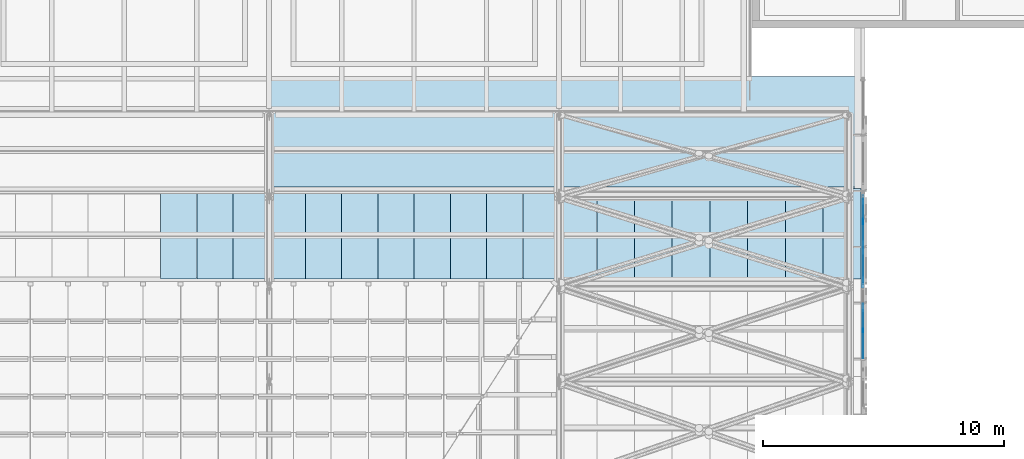
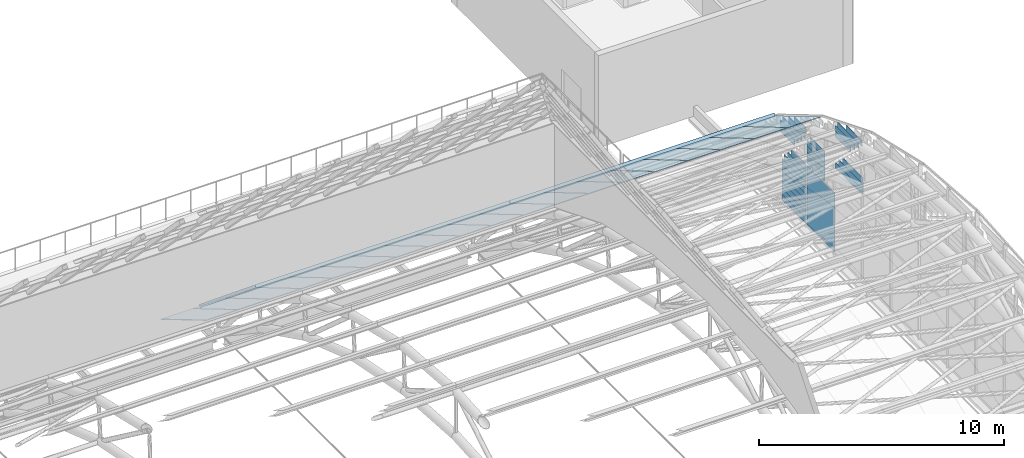
# One storey, part 66 of 110: 47 plates, 2 slabs, 1 element without a shape of its own.
"""IFC4 building model written with IfcOpenShell, lengths in metres."""

from ifc_helpers import new_model, si_unit, direction, frame, origin, place, context, subcontext, project, spatial, polyline, outline, extrude, material, layer, layer_set, type_object, element, aggregate, save


model = new_model("IFC4")

# Units and contexts
model_context = context("Model", 3, precision=1e-05, world=origin(), true_north=direction((0.0, 1.0)))
body_context = subcontext(model_context, "Body", "Model", "MODEL_VIEW")
ifc_project = project(units=[si_unit("LENGTHUNIT", "METRE"), si_unit("AREAUNIT", "SQUARE_METRE"), si_unit("VOLUMEUNIT", "CUBIC_METRE"), si_unit("PLANEANGLEUNIT", "RADIAN"), si_unit("MASSUNIT", "GRAM", prefix="KILO")], contexts=[model_context])

# Site, building, storey
site_placement = place(None, origin())
site = spatial("IfcSite", under=ifc_project, at=site_placement, CompositionType="ELEMENT")
building_placement = place(site_placement, origin())
building = spatial("IfcBuilding", under=site, at=building_placement, Name="Windward Yard Aquatics Centre", CompositionType="ELEMENT")
storey_placement = place(building_placement, frame((0.0, 0.0, 22.60009765625)))
storey = spatial("IfcBuildingStorey", under=building, at=storey_placement, Name="L05", CompositionType="ELEMENT", Elevation=22.60009765625)

# Curtain wall, plates
ifc_material_1 = material(Name="Glass and aluminium curtain wall", Category="aluminium")
ifc_layer_1 = layer(ifc_material_1, 0.179931640625)
ifc_layer_set_1 = layer_set([ifc_layer_1], Name="H gable glazing system double glazed 8+16+8")
curtain_wall_type = type_object("IfcCurtainWallType", Name="H gable glazing system double glazed 8+16+8", PredefinedType="NOTDEFINED", material=ifc_layer_set_1)
curtain_wall_placement = place(storey_placement, origin())
curtain_wall = element("IfcCurtainWall", 1, at=curtain_wall_placement, inside=storey, type_object=curtain_wall_type, Name="Gable glazing E", PredefinedType="NOTDEFINED")
ifc_material_2 = material(Name="Low-iron glass", Category="glass")
ifc_layer_2 = layer(ifc_material_2, 0.008, Name="Outer pane")
ifc_material_3 = material(Name="Argon-filled cavity")
ifc_layer_3 = layer(ifc_material_3, 0.016, Name="Cavity")
ifc_layer_4 = layer(ifc_material_2, 0.008, Name="Inner pane")
ifc_layer_set_2 = layer_set([ifc_layer_2, ifc_layer_3, ifc_layer_4], Name="H gable glass low-e double glazed unit 32")
plate_type_1 = type_object("IfcPlateType", Name="H gable glass low-e double glazed unit 32", PredefinedType="CURTAIN_PANEL", material=ifc_layer_set_2)
plate_1_placement = place(storey_placement, frame((144.60595703125, 70.309326171875, 4.32373046875), z_axis=(1.0, 0.0, 0.0), x_axis=(0.0, 1.0, 0.0)))
plate_1 = element("IfcPlate", 2, at=plate_1_placement, type_object=plate_type_1, Name="Gable panel 14.2e", PredefinedType="CURTAIN_PANEL", context=body_context, shape_type="SweptSolid", body=[
    extrude(outline(polyline([(0.0, 0.0), (2.254395, 0.0), (2.254395, 0.293213), (0.0, 0.293213), (0.0, 0.0)])), origin(), (0.0, 0.0, -1.0), 0.031982421875),
])
plate_2_placement = place(storey_placement, frame((144.60595703125, 70.309326171875, 4.6171875), z_axis=(1.0, 0.0, 0.0), x_axis=(0.0, 1.0, 0.0)))
plate_2 = element("IfcPlate", 3, at=plate_2_placement, type_object=plate_type_1, Name="Gable panel 14.2f", PredefinedType="CURTAIN_PANEL", context=body_context, shape_type="SweptSolid", body=[
    extrude(outline(polyline([(0.0, 0.0), (1.988037, 0.0), (1.988037, 0.292969), (0.0, 0.292969), (0.0, 0.0)])), origin(), (0.0, 0.0, -1.0), 0.031982421875),
])
plate_3_placement = place(storey_placement, frame((144.60595703125, 70.309326171875, 4.91064453125), z_axis=(1.0, 0.0, 0.0), x_axis=(0.0, 1.0, 0.0)))
plate_3 = element("IfcPlate", 4, at=plate_3_placement, type_object=plate_type_1, Name="Gable panel 14.2g", PredefinedType="CURTAIN_PANEL", context=body_context, shape_type="SweptSolid", body=[
    extrude(outline(polyline([(0.0, 0.0), (1.656738, 0.0), (1.656738, 0.292969), (0.0, 0.292969), (0.0, 0.0)])), origin(), (0.0, 0.0, -1.0), 0.031982421875),
])
plate_4_placement = place(storey_placement, frame((144.60595703125, 71.307861328125, 5.893310546875), z_axis=(1.0, 0.0, 0.0), x_axis=(0.0, 1.0, 0.0)))
plate_4 = element("IfcPlate", 5, at=plate_4_placement, type_object=plate_type_1, Name="Gable panel 14.2o", PredefinedType="CURTAIN_PANEL", context=body_context, shape_type="SweptSolid", body=[
    extrude(outline(polyline([(0.0, 0.0), (1.255859, 0.0), (1.255859, 0.277832), (0.0, 0.277832), (0.0, 0.0)])), origin(), (0.0, 0.0, -1.0), 0.031982421875),
])
plate_5_placement = place(storey_placement, frame((144.60595703125, 70.994140625, 6.17138671875), z_axis=(1.0, 0.0, 0.0), x_axis=(0.0, 1.0, 0.0)))
plate_5 = element("IfcPlate", 6, at=plate_5_placement, type_object=plate_type_1, Name="Gable panel 14.2p", PredefinedType="CURTAIN_PANEL", context=body_context, shape_type="SweptSolid", body=[
    extrude(outline(polyline([(0.0, 0.0), (1.56958, 0.0), (1.56958, 0.277588), (0.0, 0.277588), (0.0, 0.0)])), origin(), (0.0, 0.0, -1.0), 0.031982421875),
])
plate_6_placement = place(storey_placement, frame((144.60595703125, 70.68017578125, 6.449462890625), z_axis=(1.0, 0.0, 0.0), x_axis=(0.0, 1.0, 0.0)))
plate_6 = element("IfcPlate", 7, at=plate_6_placement, type_object=plate_type_1, Name="Gable panel 14.2q", PredefinedType="CURTAIN_PANEL", context=body_context, shape_type="SweptSolid", body=[
    extrude(outline(polyline([(0.0, 0.0), (1.705078, 0.0), (1.705078, 0.277588), (0.0, 0.277588), (0.0, 0.0)])), origin(), (0.0, 0.0, -1.0), 0.031982421875),
])
plate_7_placement = place(storey_placement, frame((144.60595703125, 70.366455078125, 6.7275390625), z_axis=(1.0, 0.0, 0.0), x_axis=(0.0, 1.0, 0.0)))
plate_7 = element("IfcPlate", 8, at=plate_7_placement, type_object=plate_type_1, Name="Gable panel 14.2r", PredefinedType="CURTAIN_PANEL", context=body_context, shape_type="SweptSolid", body=[
    extrude(outline(polyline([(0.0, 0.0), (1.327148, 0.0), (1.327148, 0.277588), (0.0, 0.277588), (0.0, 0.0)])), origin(), (0.0, 0.0, -1.0), 0.031982421875),
])
plate_8_placement = place(storey_placement, frame((144.573974609375, 72.628662109375, 0.099853515625), z_axis=(-1.0, 0.0, 0.0), x_axis=(0.0, 0.0, 1.0)))
plate_8 = element("IfcPlate", 9, at=plate_8_placement, type_object=plate_type_1, Name="Gable panel 15.1", PredefinedType="CURTAIN_PANEL", context=body_context, shape_type="SweptSolid", body=[
    extrude(outline(polyline([(0.0, 0.0), (2.949951, 0.0), (2.949951, 2.25415), (0.0, 2.25415), (0.0, 0.0)])), origin(), (0.0, 0.0, -1.0), 0.031982421875),
])
plate_9_placement = place(storey_placement, frame((144.60595703125, 73.438232421875, 3.14990234375), z_axis=(1.0, 0.0, 0.0), x_axis=(0.0, 1.0, 0.0)))
plate_9 = element("IfcPlate", 10, at=plate_9_placement, type_object=plate_type_1, Name="Gable panel 15.2a", PredefinedType="CURTAIN_PANEL", context=body_context, shape_type="SweptSolid", body=[
    extrude(outline(polyline([(0.0, 0.0), (1.44458, 0.0), (1.44458, 0.295898), (0.0, 0.295898), (0.0, 0.0)])), origin(), (0.0, 0.0, -1.0), 0.031982421875),
])
plate_10_placement = place(storey_placement, frame((144.60595703125, 73.438232421875, 3.446044921875), z_axis=(1.0, 0.0, 0.0), x_axis=(0.0, 1.0, 0.0)))
plate_10 = element("IfcPlate", 11, at=plate_10_placement, type_object=plate_type_1, Name="Gable panel 15.2b", PredefinedType="CURTAIN_PANEL", context=body_context, shape_type="SweptSolid", body=[
    extrude(outline(polyline([(0.0, 0.0), (1.44458, 0.0), (1.44458, 0.295898), (0.0, 0.295898), (0.0, 0.0)])), origin(), (0.0, 0.0, -1.0), 0.031982421875),
])
plate_11_placement = place(storey_placement, frame((144.60595703125, 73.438232421875, 3.7421875), z_axis=(1.0, 0.0, 0.0), x_axis=(0.0, 1.0, 0.0)))
plate_11 = element("IfcPlate", 12, at=plate_11_placement, type_object=plate_type_1, Name="Gable panel 15.2c", PredefinedType="CURTAIN_PANEL", context=body_context, shape_type="SweptSolid", body=[
    extrude(outline(polyline([(0.0, 0.0), (1.44458, 0.0), (1.44458, 0.295654), (0.0, 0.295654), (0.0, 0.0)])), origin(), (0.0, 0.0, -1.0), 0.031982421875),
])
plate_12_placement = place(storey_placement, frame((144.60595703125, 73.438232421875, 4.038330078125), z_axis=(1.0, 0.0, 0.0), x_axis=(0.0, 1.0, 0.0)))
plate_12 = element("IfcPlate", 13, at=plate_12_placement, type_object=plate_type_1, Name="Gable panel 15.2d", PredefinedType="CURTAIN_PANEL", context=body_context, shape_type="SweptSolid", body=[
    extrude(outline(polyline([(0.0, 0.0), (1.44458, 0.0), (1.44458, 0.295654), (0.0, 0.295654), (0.0, 0.0)])), origin(), (0.0, 0.0, -1.0), 0.031982421875),
])
plate_13_placement = place(storey_placement, frame((144.60595703125, 73.438232421875, 4.33447265625), z_axis=(1.0, 0.0, 0.0), x_axis=(0.0, 1.0, 0.0)))
plate_13 = element("IfcPlate", 14, at=plate_13_placement, type_object=plate_type_1, Name="Gable panel 15.2e", PredefinedType="CURTAIN_PANEL", context=body_context, shape_type="SweptSolid", body=[
    extrude(outline(polyline([(0.0, 0.0), (1.16626, 0.0), (1.16626, 0.295654), (0.0, 0.295654), (0.0, 0.0)])), origin(), (0.0, 0.0, -1.0), 0.031982421875),
])
plate_14_placement = place(storey_placement, frame((144.60595703125, 74.947998046875, 0.099853515625), z_axis=(1.0, 0.0, 0.0), x_axis=(0.0, 1.0, 0.0)))
plate_14 = element("IfcPlate", 15, at=plate_14_placement, type_object=plate_type_1, Name="Gable panel 16.1k", PredefinedType="CURTAIN_PANEL", context=body_context, shape_type="SweptSolid", body=[
    extrude(outline(polyline([(0.0, 0.0), (1.958984, 0.0), (1.958984, 0.294922), (0.0, 0.294922), (0.0, 0.0)])), origin(), (0.0, 0.0, -1.0), 0.031982421875),
])
plate_15_placement = place(storey_placement, frame((144.60595703125, 74.947998046875, 0.39501953125), z_axis=(1.0, 0.0, 0.0), x_axis=(0.0, 1.0, 0.0)))
plate_15 = element("IfcPlate", 16, at=plate_15_placement, type_object=plate_type_1, Name="Gable panel 16.1l", PredefinedType="CURTAIN_PANEL", context=body_context, shape_type="SweptSolid", body=[
    extrude(outline(polyline([(0.0, 0.0), (1.958984, 0.0), (1.958984, 0.294678), (0.0, 0.294678), (0.0, 0.0)])), origin(), (0.0, 0.0, -1.0), 0.031982421875),
])
plate_16_placement = place(storey_placement, frame((144.60595703125, 74.947998046875, 0.690185546875), z_axis=(1.0, 0.0, 0.0), x_axis=(0.0, 1.0, 0.0)))
plate_16 = element("IfcPlate", 17, at=plate_16_placement, type_object=plate_type_1, Name="Gable panel 16.1m", PredefinedType="CURTAIN_PANEL", context=body_context, shape_type="SweptSolid", body=[
    extrude(outline(polyline([(0.0, 0.0), (1.958984, 0.0), (1.958984, 0.294434), (0.0, 0.294434), (0.0, 0.0)])), origin(), (0.0, 0.0, -1.0), 0.031982421875),
])
plate_17_placement = place(storey_placement, frame((144.60595703125, 74.947998046875, 0.985107421875), z_axis=(1.0, 0.0, 0.0), x_axis=(0.0, 1.0, 0.0)))
plate_17 = element("IfcPlate", 18, at=plate_17_placement, type_object=plate_type_1, Name="Gable panel 16.1n", PredefinedType="CURTAIN_PANEL", context=body_context, shape_type="SweptSolid", body=[
    extrude(outline(polyline([(0.0, 0.0), (1.958984, 0.0), (1.958984, 0.294678), (0.0, 0.294678), (0.0, 0.0)])), origin(), (0.0, 0.0, -1.0), 0.031982421875),
])
plate_18_placement = place(storey_placement, frame((144.60595703125, 74.947998046875, 1.280029296875), z_axis=(1.0, 0.0, 0.0), x_axis=(0.0, 1.0, 0.0)))
plate_18 = element("IfcPlate", 19, at=plate_18_placement, type_object=plate_type_1, Name="Gable panel 16.1o", PredefinedType="CURTAIN_PANEL", context=body_context, shape_type="SweptSolid", body=[
    extrude(outline(polyline([(0.0, 0.0), (1.958984, 0.0), (1.958984, 0.294678), (0.0, 0.294678), (0.0, 0.0)])), origin(), (0.0, 0.0, -1.0), 0.031982421875),
])
plate_19_placement = place(storey_placement, frame((144.60595703125, 74.947998046875, 1.5751953125), z_axis=(1.0, 0.0, 0.0), x_axis=(0.0, 1.0, 0.0)))
plate_19 = element("IfcPlate", 20, at=plate_19_placement, type_object=plate_type_1, Name="Gable panel 16.1p", PredefinedType="CURTAIN_PANEL", context=body_context, shape_type="SweptSolid", body=[
    extrude(outline(polyline([(0.0, 0.0), (1.958984, 0.0), (1.958984, 0.294434), (0.0, 0.294434), (0.0, 0.0)])), origin(), (0.0, 0.0, -1.0), 0.031982421875),
])
plate_20_placement = place(storey_placement, frame((144.60595703125, 74.947998046875, 1.8701171875), z_axis=(1.0, 0.0, 0.0), x_axis=(0.0, 1.0, 0.0)))
plate_20 = element("IfcPlate", 21, at=plate_20_placement, type_object=plate_type_1, Name="Gable panel 16.1q", PredefinedType="CURTAIN_PANEL", context=body_context, shape_type="SweptSolid", body=[
    extrude(outline(polyline([(0.0, 0.0), (1.958984, 0.0), (1.958984, 0.294678), (0.0, 0.294678), (0.0, 0.0)])), origin(), (0.0, 0.0, -1.0), 0.031982421875),
])
plate_21_placement = place(storey_placement, frame((144.60595703125, 74.947998046875, 2.1650390625), z_axis=(1.0, 0.0, 0.0), x_axis=(0.0, 1.0, 0.0)))
plate_21 = element("IfcPlate", 22, at=plate_21_placement, type_object=plate_type_1, Name="Gable panel 16.1r", PredefinedType="CURTAIN_PANEL", context=body_context, shape_type="SweptSolid", body=[
    extrude(outline(polyline([(0.0, 0.0), (1.793213, 0.0), (1.793213, 0.294678), (0.0, 0.294678), (0.0, 0.0)])), origin(), (0.0, 0.0, -1.0), 0.031982421875),
])
plate_22_placement = place(storey_placement, frame((144.60595703125, 74.947998046875, 2.460205078125), z_axis=(1.0, 0.0, 0.0), x_axis=(0.0, 1.0, 0.0)))
plate_22 = element("IfcPlate", 23, at=plate_22_placement, type_object=plate_type_1, Name="Gable panel 16.1s", PredefinedType="CURTAIN_PANEL", context=body_context, shape_type="SweptSolid", body=[
    extrude(outline(polyline([(0.0, 0.0), (1.50293, 0.0), (1.50293, 0.294434), (0.0, 0.294434), (0.0, 0.0)])), origin(), (0.0, 0.0, -1.0), 0.031982421875),
])
plate_23_placement = place(storey_placement, frame((144.60595703125, 74.947998046875, 2.755126953125), z_axis=(1.0, 0.0, 0.0), x_axis=(0.0, 1.0, 0.0)))
plate_23 = element("IfcPlate", 24, at=plate_23_placement, type_object=plate_type_1, Name="Gable panel 16.1t", PredefinedType="CURTAIN_PANEL", context=body_context, shape_type="SweptSolid", body=[
    extrude(outline(polyline([(0.0, 0.0), (1.212158, 0.0), (1.212158, 0.294678), (0.0, 0.294678), (0.0, 0.0)])), origin(), (0.0, 0.0, -1.0), 0.031982421875),
])
plate_24_placement = place(storey_placement, frame((144.60595703125, 75.892333984375, 3.435791015625), z_axis=(1.0, 0.0, 0.0), x_axis=(0.0, 1.0, 0.0)))
plate_24 = element("IfcPlate", 25, at=plate_24_placement, type_object=plate_type_1, Name="Gable panel 16.2g", PredefinedType="CURTAIN_PANEL", context=body_context, shape_type="SweptSolid", body=[
    extrude(outline(polyline([(0.0, 0.0), (1.170166, 0.0), (1.170166, 0.2854), (0.0, 0.2854), (0.0, 0.0)])), origin(), (0.0, 0.0, -1.0), 0.031982421875),
])
plate_25_placement = place(storey_placement, frame((144.60595703125, 75.611083984375, 3.7216796875), z_axis=(1.0, 0.0, 0.0), x_axis=(0.0, 1.0, 0.0)))
plate_25 = element("IfcPlate", 26, at=plate_25_placement, type_object=plate_type_1, Name="Gable panel 16.2h", PredefinedType="CURTAIN_PANEL", context=body_context, shape_type="SweptSolid", body=[
    extrude(outline(polyline([(0.0, 0.0), (1.451416, 0.0), (1.451416, 0.2854), (0.0, 0.2854), (0.0, 0.0)])), origin(), (0.0, 0.0, -1.0), 0.031982421875),
])
plate_26_placement = place(storey_placement, frame((144.60595703125, 75.32958984375, 4.007568359375), z_axis=(1.0, 0.0, 0.0), x_axis=(0.0, 1.0, 0.0)))
plate_26 = element("IfcPlate", 27, at=plate_26_placement, type_object=plate_type_1, Name="Gable panel 16.2i", PredefinedType="CURTAIN_PANEL", context=body_context, shape_type="SweptSolid", body=[
    extrude(outline(polyline([(0.0, 0.0), (1.547607, 0.0), (1.547607, 0.2854), (0.0, 0.2854), (0.0, 0.0)])), origin(), (0.0, 0.0, -1.0), 0.031982421875),
])
plate_27_placement = place(storey_placement, frame((144.60595703125, 75.048095703125, 4.293212890625), z_axis=(1.0, 0.0, 0.0), x_axis=(0.0, 1.0, 0.0)))
plate_27 = element("IfcPlate", 28, at=plate_27_placement, type_object=plate_type_1, Name="Gable panel 16.2j", PredefinedType="CURTAIN_PANEL", context=body_context, shape_type="SweptSolid", body=[
    extrude(outline(polyline([(0.0, 0.0), (1.346924, 0.0), (1.346924, 0.2854), (0.0, 0.2854), (0.0, 0.0)])), origin(), (0.0, 0.0, -1.0), 0.031982421875),
])
plate_28_placement = place(storey_placement, frame((144.60595703125, 74.947998046875, 4.5791015625), z_axis=(1.0, 0.0, 0.0), x_axis=(0.0, 1.0, 0.0)))
plate_28 = element("IfcPlate", 29, at=plate_28_placement, type_object=plate_type_1, Name="Gable panel 16.2k", PredefinedType="CURTAIN_PANEL", context=body_context, shape_type="SweptSolid", body=[
    extrude(outline(polyline([(0.0, 0.0), (0.964844, 0.0), (0.964844, 0.2854), (0.0, 0.2854), (0.0, 0.0)])), origin(), (0.0, 0.0, -1.0), 0.031982421875),
])
aggregate(curtain_wall, [plate_1, plate_2, plate_3, plate_4, plate_5, plate_6, plate_7, plate_8, plate_9, plate_10, plate_11, plate_12, plate_13, plate_14, plate_15, plate_16, plate_17, plate_18, plate_19, plate_20, plate_21, plate_22, plate_23, plate_24, plate_25, plate_26, plate_27, plate_28])

# Slabs
ifc_material_4 = material(Name="Aluminium standing seam sheet", Category="aluminium")
ifc_layer_5 = layer(ifc_material_4, 0.001, Name="Roof covering")
ifc_material_5 = material(Name="Breather membrane")
ifc_layer_6 = layer(ifc_material_5, 0.002, Name="Underlay")
ifc_material_6 = material(Name="Mineral wool insulation")
ifc_layer_7 = layer(ifc_material_6, 0.1, Name="Insulation")
ifc_material_7 = material(Name="Vapour control layer")
ifc_layer_8 = layer(ifc_material_7, 0.001, Name="Vapour control")
ifc_material_8 = material(Name="Profiled galvanised steel deck", Category="steel")
ifc_layer_9 = layer(ifc_material_8, 0.046, Name="Deck")
ifc_layer_set_3 = layer_set([ifc_layer_5, ifc_layer_6, ifc_layer_7, ifc_layer_8, ifc_layer_9], Name="H standing seam roofing 150")
slab_type = type_object("IfcSlabType", Name="H standing seam roofing 150", PredefinedType="ROOF", material=ifc_layer_set_3)
slab_1_placement = place(storey_placement, frame((120.0, 26.0, 0.0), z_axis=(1.0, 0.0, 0.0), x_axis=(0.0, 1.0, 0.0)))
element("IfcSlab", 30, at=slab_1_placement, inside=storey, type_object=slab_type, Name="Roof covering bay 6", PredefinedType="ROOF", context=body_context, shape_type="SweptSolid", body=[
    extrude(outline(polyline([(51.32568359375, 4.050537109375), (55.892333984375, 0.300048828125), (55.987548828125, 0.416015625), (51.411865234375, 4.173828125), (51.32568359375, 4.050537109375)])), origin(), (0.0, 0.0, 1.0), 12.0),
])
slab_2_placement = place(storey_placement, frame((132.0, 26.0, 0.0), z_axis=(1.0, 0.0, 0.0), x_axis=(0.0, 1.0, 0.0)))
element("IfcSlab", 31, at=slab_2_placement, inside=storey, type_object=slab_type, Name="Roof covering bay 7", PredefinedType="ROOF", context=body_context, shape_type="SweptSolid", body=[
    extrude(outline(polyline([(51.32568359375, 4.050537109375), (55.892333984375, 0.300048828125), (55.987548828125, 0.416015625), (51.411865234375, 4.173828125), (51.32568359375, 4.050537109375)])), origin(), (0.0, 0.0, 1.0), 12.5),
])

# Plates
ifc_material_9 = material(Name="Translucent multiwall polycarbonate sheet")
ifc_layer_10 = layer(ifc_material_9, 0.031982421875)
ifc_layer_set_4 = layer_set([ifc_layer_10], Name="H translucent roof sheet multiwall polycarbonate 32")
plate_type_2 = type_object("IfcPlateType", Name="H translucent roof sheet multiwall polycarbonate 32", PredefinedType="SHEET", material=ifc_layer_set_4)
for number, where, z_axis, x_axis, name in (
    (32, (115.501953125, 26.0, 0.0), (1.0, 0.0, 0.0), (0.0, 1.0, 0.0), "Daylight roof sheet bay 5 facet 9 sheet 6"),
    (33, (117.001953125, 26.0, 0.0), (1.0, 0.0, 0.0), (0.0, 1.0, 0.0), "Daylight roof sheet bay 5 facet 9 sheet 7"),
    (34, (118.501953125, 26.0, 0.0), (1.0, 0.0, 0.0), (0.0, 1.0, 0.0), "Daylight roof sheet bay 5 facet 9 sheet 8"),
    (35, (120.001953125, 26.0, 0.0), (1.0, 0.0, 0.0), (0.0, 1.0, 0.0), "Daylight roof sheet bay 6 facet 9 sheet 1"),
    (36, (121.501953125, 26.0, 0.0), (1.0, 0.0, 0.0), (0.0, 1.0, 0.0), "Daylight roof sheet bay 6 facet 9 sheet 2"),
    (37, (123.001953125, 26.0, 0.0), (1.0, 0.0, 0.0), (0.0, 1.0, 0.0), "Daylight roof sheet bay 6 facet 9 sheet 3"),
    (38, (124.501953125, 26.0, 0.0), (1.0, 0.0, 0.0), (0.0, 1.0, 0.0), "Daylight roof sheet bay 6 facet 9 sheet 4"),
    (39, (126.001953125, 26.0, 0.0), (1.0, 0.0, 0.0), (0.0, 1.0, 0.0), "Daylight roof sheet bay 6 facet 9 sheet 5"),
    (40, (127.501953125, 26.0, 0.0), (1.0, 0.0, 0.0), (0.0, 1.0, 0.0), "Daylight roof sheet bay 6 facet 9 sheet 6"),
    (41, (129.001953125, 26.0, 0.0), (1.0, 0.0, 0.0), (0.0, 1.0, 0.0), "Daylight roof sheet bay 6 facet 9 sheet 7"),
    (42, (130.501953125, 26.0, 0.0), (1.0, 0.0, 0.0), (0.0, 1.0, 0.0), "Daylight roof sheet bay 6 facet 9 sheet 8"),
):
    element("IfcPlate", number, at=place(storey_placement, frame(where, z_axis=z_axis, x_axis=x_axis)), inside=storey, type_object=plate_type_2, Name=name, PredefinedType="SHEET", context=body_context, shape_type="SweptSolid", body=[
        extrude(outline(polyline([(47.58935546875, 6.2646484375), (51.32568359375, 4.050537109375), (51.343994140625, 4.076904296875), (47.603759765625, 6.29345703125), (47.58935546875, 6.2646484375)])), origin(), (0.0, 0.0, 1.0), 1.49609375),
    ])
for number, where, z_axis, x_axis, name in (
    (43, (132.001953125, 26.0, 0.0), (1.0, 0.0, 0.0), (0.0, 1.0, 0.0), "Daylight roof sheet bay 7 facet 9 sheet 1"),
    (44, (133.564453125, 26.0, 0.0), (1.0, 0.0, 0.0), (0.0, 1.0, 0.0), "Daylight roof sheet bay 7 facet 9 sheet 2"),
    (45, (135.126953125, 26.0, 0.0), (1.0, 0.0, 0.0), (0.0, 1.0, 0.0), "Daylight roof sheet bay 7 facet 9 sheet 3"),
    (46, (136.689453125, 26.0, 0.0), (1.0, 0.0, 0.0), (0.0, 1.0, 0.0), "Daylight roof sheet bay 7 facet 9 sheet 4"),
    (47, (138.251953125, 26.0, 0.0), (1.0, 0.0, 0.0), (0.0, 1.0, 0.0), "Daylight roof sheet bay 7 facet 9 sheet 5"),
    (48, (139.814453125, 26.0, 0.0), (1.0, 0.0, 0.0), (0.0, 1.0, 0.0), "Daylight roof sheet bay 7 facet 9 sheet 6"),
    (49, (141.376953125, 26.0, 0.0), (1.0, 0.0, 0.0), (0.0, 1.0, 0.0), "Daylight roof sheet bay 7 facet 9 sheet 7"),
    (50, (142.939453125, 26.0, 0.0), (1.0, 0.0, 0.0), (0.0, 1.0, 0.0), "Daylight roof sheet bay 7 facet 9 sheet 8"),
):
    element("IfcPlate", number, at=place(storey_placement, frame(where, z_axis=z_axis, x_axis=x_axis)), inside=storey, type_object=plate_type_2, Name=name, PredefinedType="SHEET", context=body_context, shape_type="SweptSolid", body=[
        extrude(outline(polyline([(47.58935546875, 6.2646484375), (51.32568359375, 4.050537109375), (51.343994140625, 4.076904296875), (47.603759765625, 6.29345703125), (47.58935546875, 6.2646484375)])), origin(), (0.0, 0.0, 1.0), 1.55859375),
    ])

save(model, "model.ifc")
